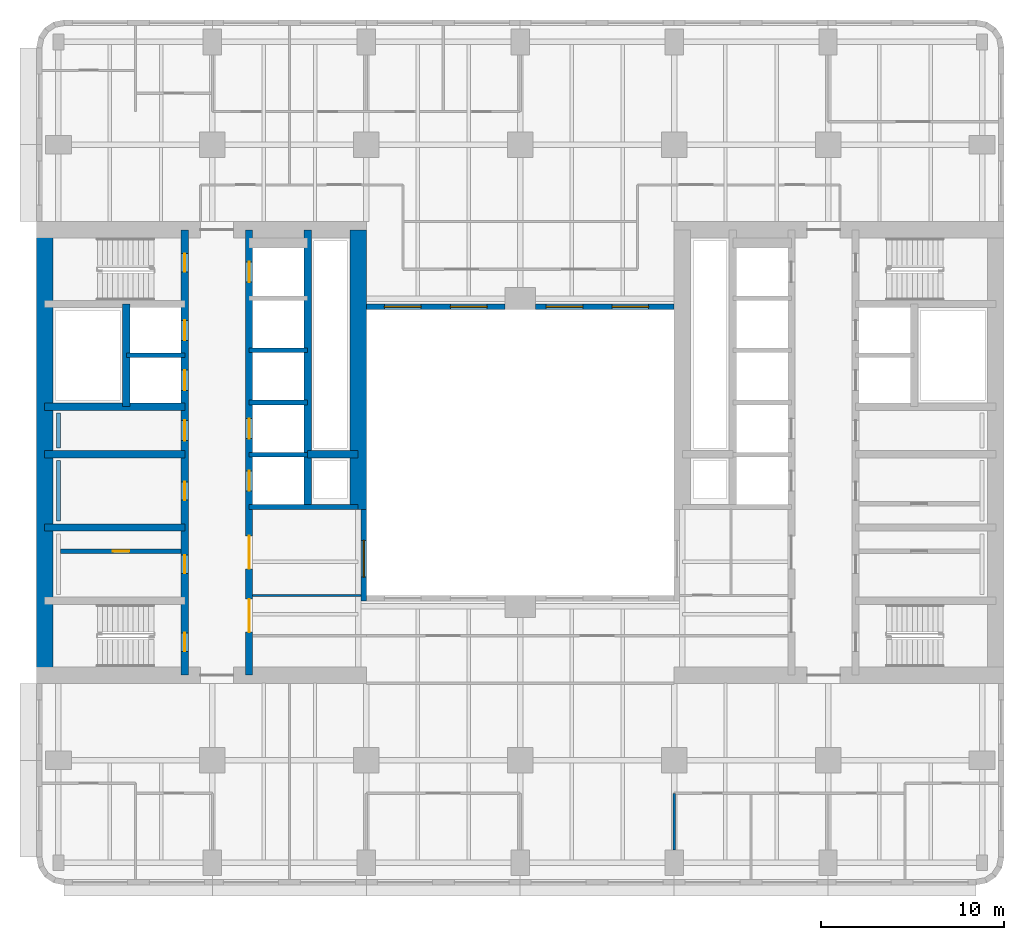
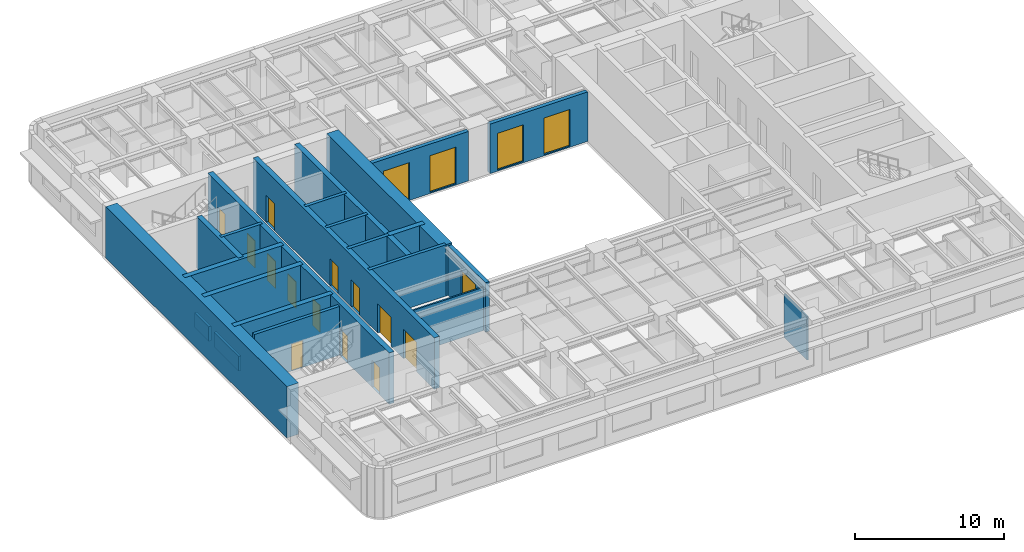
# One storey, part 4 of 11: 23 walls, 13 doors, 5 windows, 18 openings.
"""IFC4 building model written with IfcOpenShell, lengths in metres."""

from ifc_helpers import new_model, si_unit, direction, frame, frame_2d, origin, place, context, subcontext, project, spatial, rectangle, extrude, material, layer, layer_set, type_object, element, fill, save


model = new_model("IFC4")

# Units and contexts
model_context = context("Model", 3, precision=1e-05, world=origin(), true_north=direction((0.0, 1.0)))
body_context = subcontext(model_context, "Body", "Model", "MODEL_VIEW")
ifc_project = project(units=[si_unit("LENGTHUNIT", "METRE"), si_unit("AREAUNIT", "SQUARE_METRE"), si_unit("VOLUMEUNIT", "CUBIC_METRE"), si_unit("PLANEANGLEUNIT", "RADIAN"), si_unit("MASSUNIT", "GRAM", prefix="KILO")], contexts=[model_context])

# Site, building, storey
site_placement = place(None, origin())
site = spatial("IfcSite", under=ifc_project, at=site_placement, CompositionType="ELEMENT")
building_placement = place(site_placement, origin())
building = spatial("IfcBuilding", under=site, at=building_placement, Name="Claustro Exchange Tower", CompositionType="ELEMENT")
storey_placement = place(building_placement, frame((0.0, 0.0, 126.0)))
storey = spatial("IfcBuildingStorey", under=building, at=storey_placement, Name="L28", CompositionType="ELEMENT", Elevation=126.0)

# Walls
ifc_material_1 = material(Name="Laminated glass in aluminium frame", Category="aluminium")
ifc_layer_1 = layer(ifc_material_1, 0.1201171875)
ifc_layer_set_1 = layer_set([ifc_layer_1], Name="Laminated glass in aluminium frame")
wall_type_1 = type_object("IfcWallType", Name="P2 120 glazed partition", PredefinedType="PARTITIONING", material=ifc_layer_set_1)
wall_1_placement = place(storey_placement, frame((10.597900390625, 17.39990234375, 0.0), z_axis=(0.0, 0.0, 1.0), x_axis=(1.0, 0.0, 0.0)))
element("IfcWall", 1, at=wall_1_placement, inside=storey, type_object=wall_type_1, Name="Partition P2 L28", PredefinedType="PARTITIONING", context=body_context, shape_type="SweptSolid", body=[
    extrude(rectangle(XDim=5.904052734375, YDim=0.1201171875, at=frame_2d((2.9521484375, 0.0))), origin(), (0.0, 0.0, 1.0), 3.550048828125),
])
wall_2_placement = place(storey_placement, frame((33.60009765625, 3.4990234375, 0.0), z_axis=(0.0, 0.0, 1.0), x_axis=(0.0, 1.0, 0.0)))
element("IfcWall", 2, at=wall_2_placement, inside=storey, type_object=wall_type_1, Name="Partition P2 L28", PredefinedType="PARTITIONING", context=body_context, shape_type="SweptSolid", body=[
    extrude(rectangle(XDim=3.10107421875, YDim=0.1201171875, at=frame_2d((1.550537109375, 0.0))), origin(), (0.0, 0.0, 1.0), 3.550048828125),
])

# Wall, opening, door
ifc_material_2 = material(Name="Concrete blockwork, rendered", Category="masonry")
ifc_layer_2 = layer(ifc_material_2, 0.25)
ifc_layer_set_2 = layer_set([ifc_layer_2], Name="Concrete blockwork, rendered")
wall_type_2 = type_object("IfcWallType", Name="P4 250 blockwork wall", PredefinedType="PARTITIONING", material=ifc_layer_set_2)
wall_3_placement = place(storey_placement, frame((0.10009765625, 19.800048828125, 0.0), z_axis=(0.0, 0.0, 1.0), x_axis=(1.0, 0.0, 0.0)))
wall_3 = element("IfcWall", 3, at=wall_3_placement, inside=storey, type_object=wall_type_2, Name="Partition P4 L28", PredefinedType="PARTITIONING", context=body_context, shape_type="SweptSolid", body=[
    extrude(rectangle(XDim=6.599853515625, YDim=0.25, at=frame_2d((3.2998046875, 0.0))), origin(), (0.0, 0.0, 1.0), 4.0),
])
opening_1_placement = place(wall_3_placement, frame((2.875, 0.0, 0.0)))
opening_1 = element("IfcOpeningElement", 4, at=opening_1_placement, cuts=wall_3, Name="Opening D5", PredefinedType="OPENING", context=body_context, shape_type="SweptSolid", body=[
    extrude(rectangle(XDim=0.89990234375, YDim=2.199951171875, at=frame_2d((0.449951171875, 1.10009765625))), frame((0.0, 0.135009765625, 0.0), z_axis=(0.0, -1.0, 0.0), x_axis=(1.0, 0.0, 0.0)), (0.0, 0.0, 1.0), 0.27001953125),
])
ifc_material_3 = material(Name="Steel door, painted", Category="steel")
door_type_1 = type_object("IfcDoorType", Name="D5 900 x 2200 store door", OperationType="SINGLE_SWING_LEFT", PredefinedType="DOOR", material=ifc_material_3)
door_1_placement = place(opening_1_placement, origin())
door_1 = element("IfcDoor", 5, at=door_1_placement, inside=storey, type_object=door_type_1, Name="Store door D5 L28", OperationType="SINGLE_SWING_LEFT", OverallHeight=2.199951171875, OverallWidth=0.89990234375, PredefinedType="DOOR", context=body_context, shape_type="SweptSolid", body=[
    extrude(rectangle(XDim=0.89990234375, YDim=2.199951171875, at=frame_2d((0.449951171875, 1.10009765625))), frame((0.0, 0.02490234375, 0.0), z_axis=(0.0, -1.0, 0.0), x_axis=(1.0, 0.0, 0.0)), (0.0, 0.0, 1.0), 0.050048828125),
])
fill(opening_1, door_1)

# Wall, opening, window
ifc_material_4 = material(Name="Concrete HA-40 (C40/50), precast, white cement, acid-etched", Category="concrete")
ifc_layer_3 = layer(ifc_material_4, 0.300048828125)
ifc_layer_set_3 = layer_set([ifc_layer_3], Name="Concrete HA-40 (C40/50), precast, white cement, acid-etched")
wall_type_3 = type_object("IfcWallType", Name="PC1 300 precast concrete pier panel", PredefinedType="SOLIDWALL", material=ifc_layer_set_3)
wall_4_placement = place(storey_placement, frame((16.64990234375, 17.10009765625, 0.0), z_axis=(0.0, 0.0, 1.0), x_axis=(0.0, 1.0, 0.0)))
wall_4 = element("IfcWall", 6, at=wall_4_placement, inside=storey, type_object=wall_type_3, Name="Precast pier panel PC1 L28", PredefinedType="SOLIDWALL", context=body_context, shape_type="SweptSolid", body=[
    extrude(rectangle(XDim=5.0, YDim=0.300048828125, at=frame_2d((2.5, 0.0))), origin(), (0.0, 0.0, 1.0), 4.050048828125),
])
opening_2_placement = place(wall_4_placement, frame((1.300048828125, 0.0, 0.10009765625)))
opening_2 = element("IfcOpeningElement", 7, at=opening_2_placement, cuts=wall_4, Name="Opening W-A", PredefinedType="OPENING", context=body_context, shape_type="SweptSolid", body=[
    extrude(rectangle(XDim=2.0, YDim=3.0, at=frame_2d((1.0, 1.5))), frame((0.0, 0.159912109375, 0.0), z_axis=(0.0, -1.0, 0.0), x_axis=(1.0, 0.0, 0.0)), (0.0, 0.0, 1.0), 0.320068359375),
])
ifc_material_5 = material(Name="Aluminium frame, clear double glazing", Category="aluminium")
window_type = type_object("IfcWindowType", Name="W-A 2000 x 3000 arcade window", PartitioningType="SINGLE_PANEL", PredefinedType="WINDOW", material=ifc_material_5)
window_1_placement = place(opening_2_placement, origin())
window_1 = element("IfcWindow", 8, at=window_1_placement, inside=storey, type_object=window_type, Name="Window W-A L28", OverallHeight=3.0, OverallWidth=2.0, PartitioningType="SINGLE_PANEL", PredefinedType="WINDOW", context=body_context, shape_type="SweptSolid", body=[
    extrude(rectangle(XDim=2.0, YDim=3.0, at=frame_2d((1.0, 1.5))), frame((0.0, 0.030029296875, 0.0), z_axis=(0.0, -1.0, 0.0), x_axis=(1.0, 0.0, 0.0)), (0.0, 0.0, 1.0), 0.06005859375),
])
fill(opening_2, window_1)

# Wall, openings, windows
wall_5_placement = place(storey_placement, frame((16.800048828125, 33.14990234375, 0.0), z_axis=(0.0, 0.0, 1.0), x_axis=(1.0, 0.0, 0.0)))
wall_5 = element("IfcWall", 9, at=wall_5_placement, inside=storey, type_object=wall_type_3, Name="Precast pier panel PC1 L28", PredefinedType="SOLIDWALL", context=body_context, shape_type="SweptSolid", body=[
    extrude(rectangle(XDim=7.574951171875, YDim=0.300048828125, at=frame_2d((3.78759765625, 0.0))), origin(), (0.0, 0.0, 1.0), 4.050048828125),
])
opening_3_placement = place(wall_5_placement, frame((0.987548828125, 0.0, 0.10009765625)))
opening_3 = element("IfcOpeningElement", 10, at=opening_3_placement, cuts=wall_5, Name="Opening W-A", PredefinedType="OPENING", context=body_context, shape_type="SweptSolid", body=[
    extrude(rectangle(XDim=2.0, YDim=3.0, at=frame_2d((1.0, 1.5))), frame((0.0, 0.159912109375, 0.0), z_axis=(0.0, -1.0, 0.0), x_axis=(1.0, 0.0, 0.0)), (0.0, 0.0, 1.0), 0.320068359375),
])
opening_4_placement = place(wall_5_placement, frame((4.58740234375, 0.0, 0.10009765625)))
opening_4 = element("IfcOpeningElement", 11, at=opening_4_placement, cuts=wall_5, Name="Opening W-A", PredefinedType="OPENING", context=body_context, shape_type="SweptSolid", body=[
    extrude(rectangle(XDim=2.0, YDim=3.0, at=frame_2d((1.0, 1.5))), frame((0.0, 0.159912109375, 0.0), z_axis=(0.0, -1.0, 0.0), x_axis=(1.0, 0.0, 0.0)), (0.0, 0.0, 1.0), 0.320068359375),
])
window_2_placement = place(opening_3_placement, origin())
window_2 = element("IfcWindow", 12, at=window_2_placement, inside=storey, type_object=window_type, Name="Window W-A L28", OverallHeight=3.0, OverallWidth=2.0, PartitioningType="SINGLE_PANEL", PredefinedType="WINDOW", context=body_context, shape_type="SweptSolid", body=[
    extrude(rectangle(XDim=2.0, YDim=3.0, at=frame_2d((1.0, 1.5))), frame((0.0, 0.030029296875, 0.0), z_axis=(0.0, -1.0, 0.0), x_axis=(1.0, 0.0, 0.0)), (0.0, 0.0, 1.0), 0.06005859375),
])
fill(opening_3, window_2)
window_3_placement = place(opening_4_placement, origin())
window_3 = element("IfcWindow", 13, at=window_3_placement, inside=storey, type_object=window_type, Name="Window W-A L28", OverallHeight=3.0, OverallWidth=2.0, PartitioningType="SINGLE_PANEL", PredefinedType="WINDOW", context=body_context, shape_type="SweptSolid", body=[
    extrude(rectangle(XDim=2.0, YDim=3.0, at=frame_2d((1.0, 1.5))), frame((0.0, 0.030029296875, 0.0), z_axis=(0.0, -1.0, 0.0), x_axis=(1.0, 0.0, 0.0)), (0.0, 0.0, 1.0), 0.06005859375),
])
fill(opening_4, window_3)

wall_6_placement = place(storey_placement, frame((26.02490234375, 33.14990234375, 0.0), z_axis=(0.0, 0.0, 1.0), x_axis=(1.0, 0.0, 0.0)))
wall_6 = element("IfcWall", 14, at=wall_6_placement, inside=storey, type_object=wall_type_3, Name="Precast pier panel PC1 L28", PredefinedType="SOLIDWALL", context=body_context, shape_type="SweptSolid", body=[
    extrude(rectangle(XDim=7.5751953125, YDim=0.300048828125, at=frame_2d((3.78759765625, 0.0))), origin(), (0.0, 0.0, 1.0), 4.050048828125),
])
opening_5_placement = place(wall_6_placement, frame((0.58740234375, 0.0, 0.10009765625)))
opening_5 = element("IfcOpeningElement", 15, at=opening_5_placement, cuts=wall_6, Name="Opening W-A", PredefinedType="OPENING", context=body_context, shape_type="SweptSolid", body=[
    extrude(rectangle(XDim=2.0, YDim=3.0, at=frame_2d((1.0, 1.5))), frame((0.0, 0.159912109375, 0.0), z_axis=(0.0, -1.0, 0.0), x_axis=(1.0, 0.0, 0.0)), (0.0, 0.0, 1.0), 0.320068359375),
])
opening_6_placement = place(wall_6_placement, frame((4.1875, 0.0, 0.10009765625)))
opening_6 = element("IfcOpeningElement", 16, at=opening_6_placement, cuts=wall_6, Name="Opening W-A", PredefinedType="OPENING", context=body_context, shape_type="SweptSolid", body=[
    extrude(rectangle(XDim=2.0, YDim=3.0, at=frame_2d((1.0, 1.5))), frame((0.0, 0.159912109375, 0.0), z_axis=(0.0, -1.0, 0.0), x_axis=(1.0, 0.0, 0.0)), (0.0, 0.0, 1.0), 0.320068359375),
])
window_4_placement = place(opening_5_placement, origin())
window_4 = element("IfcWindow", 17, at=window_4_placement, inside=storey, type_object=window_type, Name="Window W-A L28", OverallHeight=3.0, OverallWidth=2.0, PartitioningType="SINGLE_PANEL", PredefinedType="WINDOW", context=body_context, shape_type="SweptSolid", body=[
    extrude(rectangle(XDim=2.0, YDim=3.0, at=frame_2d((1.0, 1.5))), frame((0.0, 0.030029296875, 0.0), z_axis=(0.0, -1.0, 0.0), x_axis=(1.0, 0.0, 0.0)), (0.0, 0.0, 1.0), 0.06005859375),
])
fill(opening_5, window_4)
window_5_placement = place(opening_6_placement, origin())
window_5 = element("IfcWindow", 18, at=window_5_placement, inside=storey, type_object=window_type, Name="Window W-A L28", OverallHeight=3.0, OverallWidth=2.0, PartitioningType="SINGLE_PANEL", PredefinedType="WINDOW", context=body_context, shape_type="SweptSolid", body=[
    extrude(rectangle(XDim=2.0, YDim=3.0, at=frame_2d((1.0, 1.5))), frame((0.0, 0.030029296875, 0.0), z_axis=(0.0, -1.0, 0.0), x_axis=(1.0, 0.0, 0.0)), (0.0, 0.0, 1.0), 0.06005859375),
])
fill(opening_6, window_5)

# Walls
ifc_material_6 = material(Name="Gypsum board on steel studs, tiled", Category="steel")
ifc_layer_4 = layer(ifc_material_6, 0.199951171875)
ifc_layer_set_4 = layer_set([ifc_layer_4], Name="Gypsum board on steel studs, tiled")
wall_type_4 = type_object("IfcWallType", Name="PW1 200 WC duct wall", PredefinedType="PLUMBINGWALL", material=ifc_layer_set_4)
wall_7_placement = place(storey_placement, frame((0.0, 21.449951171875, 0.0), z_axis=(0.0, 0.0, 1.0), x_axis=(0.0, 1.0, 0.0)))
element("IfcWall", 19, at=wall_7_placement, inside=storey, type_object=wall_type_4, Name="WC duct wall PW1 L28", PredefinedType="PLUMBINGWALL", context=body_context, shape_type="SweptSolid", body=[
    extrude(rectangle(XDim=3.300048828125, YDim=0.199951171875, at=frame_2d((1.64990234375, 0.0))), origin(), (0.0, 0.0, 1.0), 1.199951171875),
])
wall_8_placement = place(storey_placement, frame((0.0, 25.449951171875, 0.0), z_axis=(0.0, 0.0, 1.0), x_axis=(0.0, 1.0, 0.0)))
element("IfcWall", 20, at=wall_8_placement, inside=storey, type_object=wall_type_4, Name="WC duct wall PW1 L28", PredefinedType="PLUMBINGWALL", context=body_context, shape_type="SweptSolid", body=[
    extrude(rectangle(XDim=1.900146484375, YDim=0.199951171875, at=frame_2d((0.9501953125, 0.0))), origin(), (0.0, 0.0, 1.0), 1.199951171875),
])
ifc_material_7 = material(Name="Concrete HA-70 (C70/85)", Category="concrete")
ifc_layer_5 = layer(ifc_material_7, 0.89990234375)
ifc_layer_set_5 = layer_set([ifc_layer_5], Name="Concrete HA-70 (C70/85)")
wall_type_5 = type_object("IfcWallType", Name="SW1X 900 exposed core shear wall, board-marked face", PredefinedType="SHEAR", material=ifc_layer_set_5)
wall_9_placement = place(storey_placement, frame((-0.75, 13.050048828125, 0.0), z_axis=(0.0, 0.0, 1.0), x_axis=(0.0, 1.0, 0.0)))
element("IfcWall", 21, at=wall_9_placement, inside=storey, type_object=wall_type_5, Name="Core wall SW1X W core W face L28", PredefinedType="SHEAR", context=body_context, shape_type="SweptSolid", body=[
    extrude(rectangle(XDim=24.300048828125, YDim=0.89990234375, at=frame_2d((12.14990234375, 0.0))), origin(), (0.0, 0.0, 1.0), 4.199951171875),
])
wall_10_placement = place(storey_placement, frame((16.35009765625, 22.10009765625, 0.0), z_axis=(0.0, 0.0, 1.0), x_axis=(0.0, 1.0, 0.0)))
element("IfcWall", 22, at=wall_10_placement, inside=storey, type_object=wall_type_5, Name="Core wall SW1X W core E face L28", PredefinedType="SHEAR", context=body_context, shape_type="SweptSolid", body=[
    extrude(rectangle(XDim=15.25, YDim=0.89990234375, at=frame_2d((7.625, 0.0))), origin(), (0.0, 0.0, 1.0), 4.199951171875),
])

# Wall, openings, doors
ifc_material_8 = material(Name="Concrete HA-50 (C50/60)", Category="concrete")
ifc_layer_6 = layer(ifc_material_8, 0.39990234375)
ifc_layer_set_6 = layer_set([ifc_layer_6], Name="Concrete HA-50 (C50/60)")
wall_type_6 = type_object("IfcWallType", Name="SW4 400 internal core wall", PredefinedType="SHEAR", material=ifc_layer_set_6)
wall_11_placement = place(storey_placement, frame((6.89990234375, 13.050048828125, 0.0), z_axis=(0.0, 0.0, 1.0), x_axis=(0.0, 1.0, 0.0)))
wall_11 = element("IfcWall", 23, at=wall_11_placement, inside=storey, type_object=wall_type_6, Name="Internal core wall SW4 W core L28", PredefinedType="SHEAR", context=body_context, shape_type="SweptSolid", body=[
    extrude(rectangle(XDim=24.300048828125, YDim=0.39990234375, at=frame_2d((12.14990234375, 0.0))), origin(), (0.0, 0.0, 1.0), 4.199951171875),
])
opening_7_placement = place(wall_11_placement, frame((1.300048828125, 0.0, 0.0)))
opening_7 = element("IfcOpeningElement", 24, at=opening_7_placement, cuts=wall_11, Name="Opening D4", PredefinedType="OPENING", context=body_context, shape_type="SweptSolid", body=[
    extrude(rectangle(XDim=1.0, YDim=2.199951171875, at=frame_2d((0.5, 1.10009765625))), frame((0.0, 0.2099609375, 0.0), z_axis=(0.0, -1.0, 0.0), x_axis=(1.0, 0.0, 0.0)), (0.0, 0.0, 1.0), 0.419921875),
])
opening_8_placement = place(wall_11_placement, frame((22.0, 0.0, 0.0)))
opening_8 = element("IfcOpeningElement", 25, at=opening_8_placement, cuts=wall_11, Name="Opening D4", PredefinedType="OPENING", context=body_context, shape_type="SweptSolid", body=[
    extrude(rectangle(XDim=1.0, YDim=2.199951171875, at=frame_2d((0.5, 1.10009765625))), frame((0.0, 0.2099609375, 0.0), z_axis=(0.0, -1.0, 0.0), x_axis=(1.0, 0.0, 0.0)), (0.0, 0.0, 1.0), 0.419921875),
])
opening_9_placement = place(wall_11_placement, frame((5.550048828125, 0.0, 0.0)))
opening_9 = element("IfcOpeningElement", 26, at=opening_9_placement, cuts=wall_11, Name="Opening D1", PredefinedType="OPENING", context=body_context, shape_type="SweptSolid", body=[
    extrude(rectangle(XDim=1.0, YDim=2.199951171875, at=frame_2d((0.5, 1.10009765625))), frame((0.0, 0.2099609375, 0.0), z_axis=(0.0, -1.0, 0.0), x_axis=(1.0, 0.0, 0.0)), (0.0, 0.0, 1.0), 0.419921875),
])
opening_10_placement = place(wall_11_placement, frame((9.550048828125, 0.0, 0.0)))
opening_10 = element("IfcOpeningElement", 27, at=opening_10_placement, cuts=wall_11, Name="Opening D1", PredefinedType="OPENING", context=body_context, shape_type="SweptSolid", body=[
    extrude(rectangle(XDim=1.0, YDim=2.199951171875, at=frame_2d((0.5, 1.10009765625))), frame((0.0, 0.2099609375, 0.0), z_axis=(0.0, -1.0, 0.0), x_axis=(1.0, 0.0, 0.0)), (0.0, 0.0, 1.0), 0.419921875),
])
opening_11_placement = place(wall_11_placement, frame((12.800048828125, 0.0, 0.0)))
opening_11 = element("IfcOpeningElement", 28, at=opening_11_placement, cuts=wall_11, Name="Opening D10", PredefinedType="OPENING", context=body_context, shape_type="SweptSolid", body=[
    extrude(rectangle(XDim=1.10009765625, YDim=2.199951171875, at=frame_2d((0.550048828125, 1.10009765625))), frame((0.0, 0.2099609375, 0.0), z_axis=(0.0, -1.0, 0.0), x_axis=(1.0, 0.0, 0.0)), (0.0, 0.0, 1.0), 0.419921875),
])
opening_12_placement = place(wall_11_placement, frame((15.53759765625, 0.0, 0.0)))
opening_12 = element("IfcOpeningElement", 29, at=opening_12_placement, cuts=wall_11, Name="Opening LD", PredefinedType="OPENING", context=body_context, shape_type="SweptSolid", body=[
    extrude(rectangle(XDim=1.10009765625, YDim=2.199951171875, at=frame_2d((0.550048828125, 1.10009765625))), frame((0.0, 0.2099609375, 0.0), z_axis=(0.0, -1.0, 0.0), x_axis=(1.0, 0.0, 0.0)), (0.0, 0.0, 1.0), 0.419921875),
])
opening_13_placement = place(wall_11_placement, frame((18.262451171875, 0.0, 0.0)))
opening_13 = element("IfcOpeningElement", 30, at=opening_13_placement, cuts=wall_11, Name="Opening LD", PredefinedType="OPENING", context=body_context, shape_type="SweptSolid", body=[
    extrude(rectangle(XDim=1.10009765625, YDim=2.199951171875, at=frame_2d((0.550048828125, 1.10009765625))), frame((0.0, 0.2099609375, 0.0), z_axis=(0.0, -1.0, 0.0), x_axis=(1.0, 0.0, 0.0)), (0.0, 0.0, 1.0), 0.419921875),
])
ifc_material_9 = material(Name="Timber door, oak veneer", Category="wood")
door_type_2 = type_object("IfcDoorType", Name="D1 1000 x 2200 single door", OperationType="SINGLE_SWING_LEFT", PredefinedType="DOOR", material=ifc_material_9)
door_2_placement = place(opening_9_placement, origin())
door_2 = element("IfcDoor", 31, at=door_2_placement, inside=storey, type_object=door_type_2, Name="Door D1 L28", OperationType="SINGLE_SWING_RIGHT", OverallHeight=2.199951171875, OverallWidth=1.0, PredefinedType="DOOR", context=body_context, shape_type="SweptSolid", body=[
    extrude(rectangle(XDim=1.0, YDim=2.199951171875, at=frame_2d((0.5, 1.10009765625))), frame((0.0, 0.02490234375, 0.0), z_axis=(0.0, -1.0, 0.0), x_axis=(1.0, 0.0, 0.0)), (0.0, 0.0, 1.0), 0.050048828125),
])
fill(opening_9, door_2)
door_3_placement = place(opening_10_placement, origin())
door_3 = element("IfcDoor", 32, at=door_3_placement, inside=storey, type_object=door_type_2, Name="Door D1 L28", OperationType="SINGLE_SWING_RIGHT", OverallHeight=2.199951171875, OverallWidth=1.0, PredefinedType="DOOR", context=body_context, shape_type="SweptSolid", body=[
    extrude(rectangle(XDim=1.0, YDim=2.199951171875, at=frame_2d((0.5, 1.10009765625))), frame((0.0, 0.02490234375, 0.0), z_axis=(0.0, -1.0, 0.0), x_axis=(1.0, 0.0, 0.0)), (0.0, 0.0, 1.0), 0.050048828125),
])
fill(opening_10, door_3)
ifc_material_10 = material(Name="Timber door, oak veneer", Category="wood")
door_type_3 = type_object("IfcDoorType", Name="D10 1100 x 2200 accessible WC door", OperationType="SINGLE_SWING_LEFT", PredefinedType="DOOR", material=ifc_material_10)
door_4_placement = place(opening_11_placement, frame((1.10009765625, 0.0, 0.0), z_axis=(0.0, 0.0, 1.0), x_axis=(-1.0, 0.0, 0.0)))
door_4 = element("IfcDoor", 33, at=door_4_placement, inside=storey, type_object=door_type_3, Name="Accessible WC door D10 L28", OperationType="SINGLE_SWING_LEFT", OverallHeight=2.199951171875, OverallWidth=1.10009765625, PredefinedType="DOOR", context=body_context, shape_type="SweptSolid", body=[
    extrude(rectangle(XDim=1.10009765625, YDim=2.199951171875, at=frame_2d((0.550048828125, 1.10009765625))), frame((0.0, 0.02490234375, 0.0), z_axis=(0.0, -1.0, 0.0), x_axis=(1.0, 0.0, 0.0)), (0.0, 0.0, 1.0), 0.050048828125),
])
fill(opening_11, door_4)
ifc_material_11 = material(Name="Steel fire door, painted", Category="steel")
door_type_4 = type_object("IfcDoorType", Name="D4 1000 x 2200 fire-rated stair door", OperationType="SINGLE_SWING_LEFT", PredefinedType="DOOR", material=ifc_material_11)
door_5_placement = place(opening_7_placement, origin())
door_5 = element("IfcDoor", 34, at=door_5_placement, inside=storey, type_object=door_type_4, Name="Stair door D4 L28", OperationType="SINGLE_SWING_LEFT", OverallHeight=2.199951171875, OverallWidth=1.0, PredefinedType="DOOR", context=body_context, shape_type="SweptSolid", body=[
    extrude(rectangle(XDim=1.0, YDim=2.199951171875, at=frame_2d((0.5, 1.10009765625))), frame((0.0, 0.02490234375, 0.0), z_axis=(0.0, -1.0, 0.0), x_axis=(1.0, 0.0, 0.0)), (0.0, 0.0, 1.0), 0.050048828125),
])
fill(opening_7, door_5)
door_6_placement = place(opening_8_placement, origin())
door_6 = element("IfcDoor", 35, at=door_6_placement, inside=storey, type_object=door_type_4, Name="Stair door D4 L28", OperationType="SINGLE_SWING_RIGHT", OverallHeight=2.199951171875, OverallWidth=1.0, PredefinedType="DOOR", context=body_context, shape_type="SweptSolid", body=[
    extrude(rectangle(XDim=1.0, YDim=2.199951171875, at=frame_2d((0.5, 1.10009765625))), frame((0.0, 0.02490234375, 0.0), z_axis=(0.0, -1.0, 0.0), x_axis=(1.0, 0.0, 0.0)), (0.0, 0.0, 1.0), 0.050048828125),
])
fill(opening_8, door_6)
ifc_material_12 = material(Name="Stainless steel sliding door", Category="steel")
door_type_5 = type_object("IfcDoorType", Name="LD 1100 x 2200 lift landing door", OperationType="DOUBLE_DOOR_SLIDING", PredefinedType="DOOR", material=ifc_material_12)
door_7_placement = place(opening_12_placement, origin())
door_7 = element("IfcDoor", 36, at=door_7_placement, inside=storey, type_object=door_type_5, Name="Lift landing door LEW1 LD L28", OperationType="DOUBLE_DOOR_SLIDING", OverallHeight=2.199951171875, OverallWidth=1.10009765625, PredefinedType="DOOR", context=body_context, shape_type="SweptSolid", body=[
    extrude(rectangle(XDim=1.10009765625, YDim=2.199951171875, at=frame_2d((0.550048828125, 1.10009765625))), frame((0.0, 0.02490234375, 0.0), z_axis=(0.0, -1.0, 0.0), x_axis=(1.0, 0.0, 0.0)), (0.0, 0.0, 1.0), 0.050048828125),
])
fill(opening_12, door_7)
door_8_placement = place(opening_13_placement, origin())
door_8 = element("IfcDoor", 37, at=door_8_placement, inside=storey, type_object=door_type_5, Name="Lift landing door LEW2 LD L28", OperationType="DOUBLE_DOOR_SLIDING", OverallHeight=2.199951171875, OverallWidth=1.10009765625, PredefinedType="DOOR", context=body_context, shape_type="SweptSolid", body=[
    extrude(rectangle(XDim=1.10009765625, YDim=2.199951171875, at=frame_2d((0.550048828125, 1.10009765625))), frame((0.0, 0.02490234375, 0.0), z_axis=(0.0, -1.0, 0.0), x_axis=(1.0, 0.0, 0.0)), (0.0, 0.0, 1.0), 0.050048828125),
])
fill(opening_13, door_8)

wall_12_placement = place(storey_placement, frame((10.39990234375, 13.050048828125, 0.0), z_axis=(0.0, 0.0, 1.0), x_axis=(0.0, 1.0, 0.0)))
wall_12 = element("IfcWall", 38, at=wall_12_placement, inside=storey, type_object=wall_type_6, Name="Internal core wall SW4 W core L28", PredefinedType="SHEAR", context=body_context, shape_type="SweptSolid", body=[
    extrude(rectangle(XDim=24.300048828125, YDim=0.39990234375, at=frame_2d((12.14990234375, 0.0))), origin(), (0.0, 0.0, 1.0), 4.199951171875),
])
opening_14_placement = place(wall_12_placement, frame((10.050048828125, 0.0, 0.0)))
opening_14 = element("IfcOpeningElement", 39, at=opening_14_placement, cuts=wall_12, Name="Opening LD", PredefinedType="OPENING", context=body_context, shape_type="SweptSolid", body=[
    extrude(rectangle(XDim=1.10009765625, YDim=2.199951171875, at=frame_2d((0.550048828125, 1.10009765625))), frame((0.0, 0.2099609375, 0.0), z_axis=(0.0, -1.0, 0.0), x_axis=(1.0, 0.0, 0.0)), (0.0, 0.0, 1.0), 0.419921875),
])
opening_15_placement = place(wall_12_placement, frame((12.89990234375, 0.0, 0.0)))
opening_15 = element("IfcOpeningElement", 40, at=opening_15_placement, cuts=wall_12, Name="Opening LD", PredefinedType="OPENING", context=body_context, shape_type="SweptSolid", body=[
    extrude(rectangle(XDim=1.10009765625, YDim=2.199951171875, at=frame_2d((0.550048828125, 1.10009765625))), frame((0.0, 0.2099609375, 0.0), z_axis=(0.0, -1.0, 0.0), x_axis=(1.0, 0.0, 0.0)), (0.0, 0.0, 1.0), 0.419921875),
])
opening_16_placement = place(wall_12_placement, frame((21.449951171875, 0.0, 0.0)))
opening_16 = element("IfcOpeningElement", 41, at=opening_16_placement, cuts=wall_12, Name="Opening LD", PredefinedType="OPENING", context=body_context, shape_type="SweptSolid", body=[
    extrude(rectangle(XDim=1.10009765625, YDim=2.199951171875, at=frame_2d((0.550048828125, 1.10009765625))), frame((0.0, 0.2099609375, 0.0), z_axis=(0.0, -1.0, 0.0), x_axis=(1.0, 0.0, 0.0)), (0.0, 0.0, 1.0), 0.419921875),
])
opening_17_placement = place(wall_12_placement, frame((2.35009765625, 0.0, 0.0)))
opening_17 = element("IfcOpeningElement", 42, at=opening_17_placement, cuts=wall_12, Name="Opening D3", PredefinedType="OPENING", context=body_context, shape_type="SweptSolid", body=[
    extrude(rectangle(XDim=1.800048828125, YDim=2.39990234375, at=frame_2d((0.89990234375, 1.199951171875))), frame((0.0, 0.2099609375, 0.0), z_axis=(0.0, -1.0, 0.0), x_axis=(1.0, 0.0, 0.0)), (0.0, 0.0, 1.0), 0.419921875),
])
opening_18_placement = place(wall_12_placement, frame((5.800048828125, 0.0, 0.0)))
opening_18 = element("IfcOpeningElement", 43, at=opening_18_placement, cuts=wall_12, Name="Opening D3", PredefinedType="OPENING", context=body_context, shape_type="SweptSolid", body=[
    extrude(rectangle(XDim=1.800048828125, YDim=2.39990234375, at=frame_2d((0.89990234375, 1.199951171875))), frame((0.0, 0.2099609375, 0.0), z_axis=(0.0, -1.0, 0.0), x_axis=(1.0, 0.0, 0.0)), (0.0, 0.0, 1.0), 0.419921875),
])
ifc_material_13 = material(Name="Steel fire door, painted", Category="steel")
door_type_6 = type_object("IfcDoorType", Name="D3 1800 x 2400 fire-rated lobby double door", OperationType="DOUBLE_DOOR_SINGLE_SWING", PredefinedType="DOOR", material=ifc_material_13)
door_9_placement = place(opening_17_placement, origin())
door_9 = element("IfcDoor", 44, at=door_9_placement, inside=storey, type_object=door_type_6, Name="Core zone door D3 L28", OperationType="DOUBLE_DOOR_SINGLE_SWING", OverallHeight=2.39990234375, OverallWidth=1.800048828125, PredefinedType="DOOR", context=body_context, shape_type="SweptSolid", body=[
    extrude(rectangle(XDim=1.800048828125, YDim=2.39990234375, at=frame_2d((0.89990234375, 1.199951171875))), frame((0.0, 0.02490234375, 0.0), z_axis=(0.0, -1.0, 0.0), x_axis=(1.0, 0.0, 0.0)), (0.0, 0.0, 1.0), 0.050048828125),
])
fill(opening_17, door_9)
door_10_placement = place(opening_18_placement, frame((1.800048828125, 0.0, 0.0), z_axis=(0.0, 0.0, 1.0), x_axis=(-1.0, 0.0, 0.0)))
door_10 = element("IfcDoor", 45, at=door_10_placement, inside=storey, type_object=door_type_6, Name="Core zone door D3 L28", OperationType="DOUBLE_DOOR_SINGLE_SWING", OverallHeight=2.39990234375, OverallWidth=1.800048828125, PredefinedType="DOOR", context=body_context, shape_type="SweptSolid", body=[
    extrude(rectangle(XDim=1.800048828125, YDim=2.39990234375, at=frame_2d((0.89990234375, 1.199951171875))), frame((0.0, 0.02490234375, 0.0), z_axis=(0.0, -1.0, 0.0), x_axis=(1.0, 0.0, 0.0)), (0.0, 0.0, 1.0), 0.050048828125),
])
fill(opening_18, door_10)
door_11_placement = place(opening_14_placement, origin())
door_11 = element("IfcDoor", 46, at=door_11_placement, inside=storey, type_object=door_type_5, Name="Lift landing door LMW1 LD L28", OperationType="DOUBLE_DOOR_SLIDING", OverallHeight=2.199951171875, OverallWidth=1.10009765625, PredefinedType="DOOR", context=body_context, shape_type="SweptSolid", body=[
    extrude(rectangle(XDim=1.10009765625, YDim=2.199951171875, at=frame_2d((0.550048828125, 1.10009765625))), frame((0.0, 0.02490234375, 0.0), z_axis=(0.0, -1.0, 0.0), x_axis=(1.0, 0.0, 0.0)), (0.0, 0.0, 1.0), 0.050048828125),
])
fill(opening_14, door_11)
door_12_placement = place(opening_15_placement, origin())
door_12 = element("IfcDoor", 47, at=door_12_placement, inside=storey, type_object=door_type_5, Name="Lift landing door LMW2 LD L28", OperationType="DOUBLE_DOOR_SLIDING", OverallHeight=2.199951171875, OverallWidth=1.10009765625, PredefinedType="DOOR", context=body_context, shape_type="SweptSolid", body=[
    extrude(rectangle(XDim=1.10009765625, YDim=2.199951171875, at=frame_2d((0.550048828125, 1.10009765625))), frame((0.0, 0.02490234375, 0.0), z_axis=(0.0, -1.0, 0.0), x_axis=(1.0, 0.0, 0.0)), (0.0, 0.0, 1.0), 0.050048828125),
])
fill(opening_15, door_12)
door_13_placement = place(opening_16_placement, origin())
door_13 = element("IfcDoor", 48, at=door_13_placement, inside=storey, type_object=door_type_5, Name="Lift landing door LSW1 LD L28", OperationType="DOUBLE_DOOR_SLIDING", OverallHeight=2.199951171875, OverallWidth=1.10009765625, PredefinedType="DOOR", context=body_context, shape_type="SweptSolid", body=[
    extrude(rectangle(XDim=1.10009765625, YDim=2.199951171875, at=frame_2d((0.550048828125, 1.10009765625))), frame((0.0, 0.02490234375, 0.0), z_axis=(0.0, -1.0, 0.0), x_axis=(1.0, 0.0, 0.0)), (0.0, 0.0, 1.0), 0.050048828125),
])
fill(opening_16, door_13)

# Walls
wall_13_placement = place(storey_placement, frame((13.60009765625, 22.22509765625, 0.0), z_axis=(0.0, 0.0, 1.0), x_axis=(0.0, 1.0, 0.0)))
element("IfcWall", 49, at=wall_13_placement, inside=storey, type_object=wall_type_6, Name="Internal core wall SW4 W core L28", PredefinedType="SHEAR", context=body_context, shape_type="SweptSolid", body=[
    extrude(rectangle(XDim=15.125, YDim=0.39990234375, at=frame_2d((7.5625, 0.0))), origin(), (0.0, 0.0, 1.0), 4.199951171875),
])
for number, where, z_axis, x_axis, name in (
    (50, (-0.75, 21.10009765625, 0.0), (0.0, 0.0, 1.0), (1.0, 0.0, 0.0), "Internal core wall SW4 W core L28"),
    (51, (-0.75, 25.10009765625, 0.0), (0.0, 0.0, 1.0), (1.0, 0.0, 0.0), "Internal core wall SW4 W core L28"),
    (52, (-0.75, 27.699951171875, 0.0), (0.0, 0.0, 1.0), (1.0, 0.0, 0.0), "Internal core wall SW4 W core L28"),
):
    element("IfcWall", number, at=place(storey_placement, frame(where, z_axis=z_axis, x_axis=x_axis)), inside=storey, type_object=wall_type_6, Name=name, PredefinedType="SHEAR", context=body_context, shape_type="SweptSolid", body=[
        extrude(rectangle(XDim=7.64990234375, YDim=0.39990234375, at=frame_2d((3.824951171875, 0.0))), origin(), (0.0, 0.0, 1.0), 4.199951171875),
    ])
wall_14_placement = place(storey_placement, frame((3.699951171875, 27.699951171875, 0.0), z_axis=(0.0, 0.0, 1.0), x_axis=(0.0, 1.0, 0.0)))
element("IfcWall", 53, at=wall_14_placement, inside=storey, type_object=wall_type_6, Name="Internal core wall SW4 W core L28", PredefinedType="SHEAR", context=body_context, shape_type="SweptSolid", body=[
    extrude(rectangle(XDim=5.60009765625, YDim=0.39990234375, at=frame_2d((2.800048828125, 0.0))), origin(), (0.0, 0.0, 1.0), 4.199951171875),
])
wall_15_placement = place(storey_placement, frame((13.60009765625, 25.10009765625, 0.0), z_axis=(0.0, 0.0, 1.0), x_axis=(1.0, 0.0, 0.0)))
element("IfcWall", 54, at=wall_15_placement, inside=storey, type_object=wall_type_6, Name="Internal core wall SW4 W core L28", PredefinedType="SHEAR", context=body_context, shape_type="SweptSolid", body=[
    extrude(rectangle(XDim=2.75, YDim=0.39990234375, at=frame_2d((1.375, 0.0))), origin(), (0.0, 0.0, 1.0), 4.199951171875),
])
ifc_material_14 = material(Name="Concrete HA-50 (C50/60)", Category="concrete")
ifc_layer_7 = layer(ifc_material_14, 0.25)
ifc_layer_set_7 = layer_set([ifc_layer_7], Name="Concrete HA-50 (C50/60)")
wall_type_7 = type_object("IfcWallType", Name="SW5 250 lift shaft divider wall", PredefinedType="SHEAR", material=ifc_layer_set_7)
wall_16_placement = place(storey_placement, frame((3.699951171875, 30.5, 0.0), z_axis=(0.0, 0.0, 1.0), x_axis=(1.0, 0.0, 0.0)))
element("IfcWall", 55, at=wall_16_placement, inside=storey, type_object=wall_type_7, Name="Lift shaft wall W core L28", PredefinedType="SHEAR", context=body_context, shape_type="SweptSolid", body=[
    extrude(rectangle(XDim=3.199951171875, YDim=0.25, at=frame_2d((1.60009765625, 0.0))), origin(), (0.0, 0.0, 1.0), 4.199951171875),
])
wall_17_placement = place(storey_placement, frame((10.39990234375, 22.22509765625, 0.0), z_axis=(0.0, 0.0, 1.0), x_axis=(1.0, 0.0, 0.0)))
element("IfcWall", 56, at=wall_17_placement, inside=storey, type_object=wall_type_7, Name="Core step wall W core L28", PredefinedType="SHEAR", context=body_context, shape_type="SweptSolid", body=[
    extrude(rectangle(XDim=5.9501953125, YDim=0.25, at=frame_2d((2.97509765625, 0.0))), origin(), (0.0, 0.0, 1.0), 4.199951171875),
])
for number, where, z_axis, x_axis, name in (
    (57, (10.39990234375, 25.074951171875, 0.0), (0.0, 0.0, 1.0), (1.0, 0.0, 0.0), "Lift shaft wall W core L28"),
    (58, (10.39990234375, 27.925048828125, 0.0), (0.0, 0.0, 1.0), (1.0, 0.0, 0.0), "Lift shaft wall W core L28"),
    (59, (10.39990234375, 30.77490234375, 0.0), (0.0, 0.0, 1.0), (1.0, 0.0, 0.0), "Lift shaft wall W core L28"),
):
    element("IfcWall", number, at=place(storey_placement, frame(where, z_axis=z_axis, x_axis=x_axis)), inside=storey, type_object=wall_type_7, Name=name, PredefinedType="SHEAR", context=body_context, shape_type="SweptSolid", body=[
        extrude(rectangle(XDim=3.2001953125, YDim=0.25, at=frame_2d((1.60009765625, 0.0))), origin(), (0.0, 0.0, 1.0), 4.199951171875),
    ])

save(model, "model.ifc")
